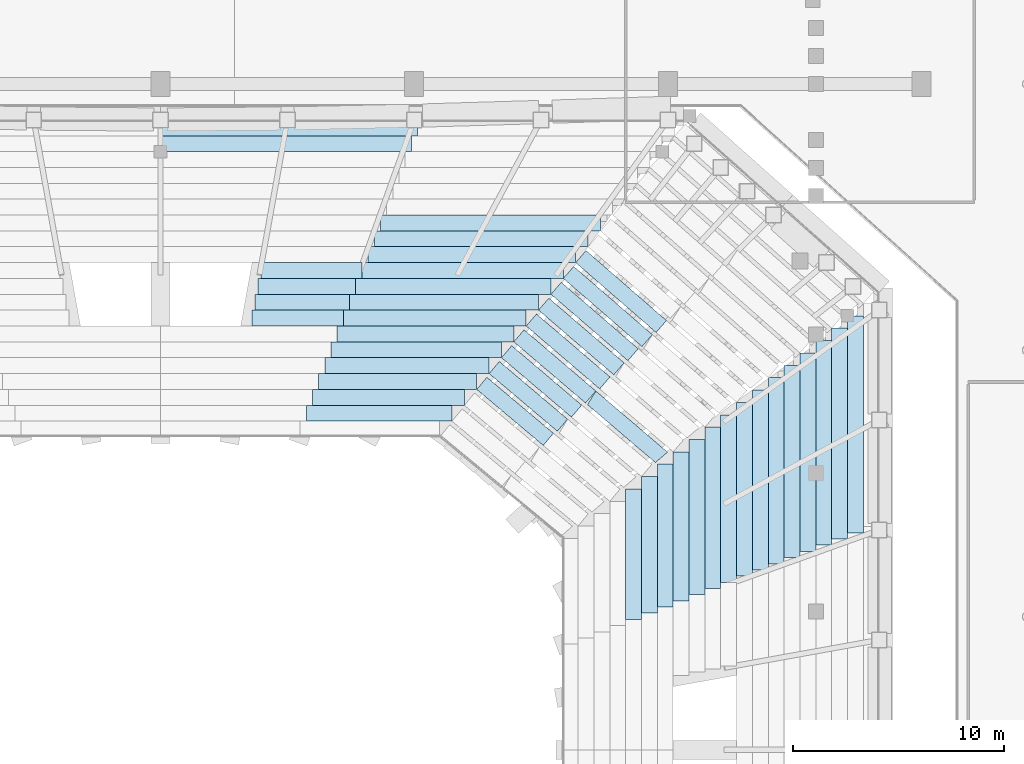
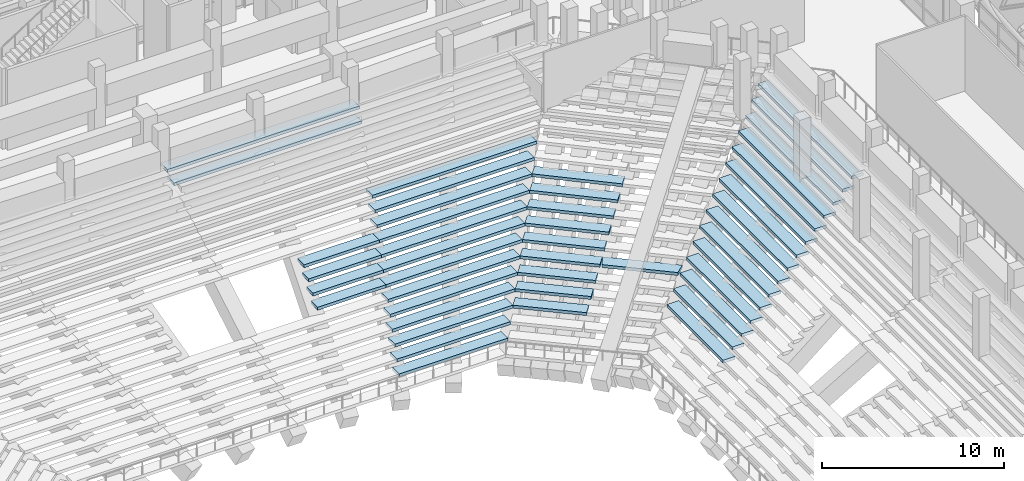
# One storey, part 105 of 159: 44 slabs.
"""IFC4 building model written with IfcOpenShell, lengths in metres."""

import ifcopenshell
import ifcopenshell.guid

model = None  # the IFC model being written
_history = None  # IfcOwnerHistory: only IFC2X3 demands one
_inside = {}  # id of a spatial element -> (the spatial element, [elements in it])
_under = {}  # id of a project, library or spatial element -> (it, [spatial elements below it])
_declared = {}  # id of a project -> (the project, [libraries it declares])
_typed = {}  # id of a type object -> (the type object, [elements of that type])
_made_of = {}  # id of a material, layer set ... -> (it, [elements and type objects made of it])


def new_model(schema):
    """Start an empty IFC model of exactly this schema.

    Asked for "IFC4X3", IfcOpenShell would pick the latest addendum, in which some entities
    have other attributes; the version numbers below select the first issue.
    IFC2X3 requires an IfcOwnerHistory on every rooted entity: one is made here for all.
    """
    global model, _history
    if schema == "IFC4X3":
        model = ifcopenshell.file(schema_version=(4, 3, 0, 0))
    else:
        model = ifcopenshell.file(schema=schema)
    _inside.clear()
    _under.clear()
    _declared.clear()
    _typed.clear()
    _made_of.clear()
    _history = None
    if model.schema == "IFC2X3":
        org = make("IfcOrganization", Name="unknown")
        user = make(
            "IfcPersonAndOrganization",
            ThePerson=make("IfcPerson", FamilyName="unknown"),
            TheOrganization=org,
        )
        app = make(
            "IfcApplication",
            ApplicationDeveloper=org,
            Version="unknown",
            ApplicationFullName="unknown",
            ApplicationIdentifier="unknown",
        )
        _history = make(
            "IfcOwnerHistory",
            OwningUser=user,
            OwningApplication=app,
            ChangeAction="ADDED",
            CreationDate=0,
        )
    return model


def make(cls, **values):
    """One entity of the class cls with the attributes given. An attribute that is None is left unset."""
    return model.create_entity(
        cls, **{name: value for name, value in values.items() if value is not None}
    )


def rooted(cls, **values):
    """An entity with a GlobalId (a new one), such as an element, a storey or a relation."""
    return make(cls, GlobalId=ifcopenshell.guid.new(), OwnerHistory=_history, **values)


def si_unit(unit_type, name, prefix=None):
    """IfcSIUnit, for example si_unit("LENGTHUNIT", "METRE", prefix="MILLI")."""
    return make("IfcSIUnit", UnitType=unit_type, Prefix=prefix, Name=name)


def derived_unit(unit_type, elements):
    """IfcDerivedUnit: a product of units, each with its exponent."""
    return make(
        "IfcDerivedUnit",
        Elements=[
            make("IfcDerivedUnitElement", Unit=unit, Exponent=power)
            for unit, power in elements
        ],
        UnitType=unit_type,
    )


def assignment(units):
    """IfcUnitAssignment: the units of a project."""
    return None if units is None else make("IfcUnitAssignment", Units=units)


def point(xyz):
    """IfcCartesianPoint."""
    return None if xyz is None else make("IfcCartesianPoint", Coordinates=xyz)


def direction(xyz):
    """IfcDirection."""
    return None if xyz is None else make("IfcDirection", DirectionRatios=xyz)


def frame(location, z_axis=None, x_axis=None):
    """IfcAxis2Placement3D, a coordinate frame: its origin and axes. An axis left out is left unset."""
    return make(
        "IfcAxis2Placement3D",
        Location=point(location),
        Axis=direction(z_axis),
        RefDirection=direction(x_axis),
    )


def origin():
    """The frame at (0, 0, 0) with its axes left unset."""
    return frame((0.0, 0.0, 0.0))


def place(relative_to, where):
    """IfcLocalPlacement: puts the frame where relative to a parent placement (None: the world)."""
    return make(
        "IfcLocalPlacement", PlacementRelTo=relative_to, RelativePlacement=where
    )


def context(
    kind, dimensions, precision=None, world=None, true_north=None, identifier=None
):
    """IfcGeometricRepresentationContext, for example the 3D "Model" context."""
    return make(
        "IfcGeometricRepresentationContext",
        ContextIdentifier=identifier,
        ContextType=kind,
        CoordinateSpaceDimension=dimensions,
        Precision=precision,
        WorldCoordinateSystem=world,
        TrueNorth=true_north,
    )


def subcontext(parent, identifier, kind, view, scale=None):
    """IfcGeometricRepresentationSubContext, for example "Body" below "Model"."""
    return make(
        "IfcGeometricRepresentationSubContext",
        ContextIdentifier=identifier,
        ContextType=kind,
        ParentContext=parent,
        TargetScale=scale,
        TargetView=view,
    )


def project(units=None, contexts=None):
    """IfcProject with its units and contexts."""
    return rooted(
        "IfcProject",
        Name="project",
        RepresentationContexts=contexts,
        UnitsInContext=assignment(units),
    )


def spatial(cls, under=None, at=None, **own):
    """A site, building, storey or space (cls), placed at a placement, below another one or the project."""
    s = rooted(cls, ObjectPlacement=at, **own)
    if under is not None:
        _under.setdefault(under.id(), (under, []))[1].append(s)
    return s


def polyline(points):
    """IfcPolyline through the points."""
    return make("IfcPolyline", Points=[point(p) for p in points])


def outline(outer, holes=None, kind="AREA"):
    """IfcArbitraryClosedProfileDef: a profile drawn as a closed curve; with holes, ...WithVoids."""
    if holes is None:
        return make("IfcArbitraryClosedProfileDef", ProfileType=kind, OuterCurve=outer)
    return make(
        "IfcArbitraryProfileDefWithVoids",
        ProfileType=kind,
        OuterCurve=outer,
        InnerCurves=holes,
    )


def extrude(swept, where, along, depth):
    """IfcExtrudedAreaSolid: the profile swept, set in the frame where, extruded along a direction by depth."""
    return make(
        "IfcExtrudedAreaSolid",
        SweptArea=swept,
        Position=where,
        ExtrudedDirection=direction(along),
        Depth=depth,
    )


def shape(context_of_items, identifier, shape_type, items):
    """IfcShapeRepresentation: the items that make up one representation, for example the "Body"."""
    return make(
        "IfcShapeRepresentation",
        ContextOfItems=context_of_items,
        RepresentationIdentifier=identifier,
        RepresentationType=shape_type,
        Items=items,
    )


def material(Name=None, Category=None):
    """IfcMaterial."""
    return make("IfcMaterial", Name=Name, Category=Category)


def layer(
    of_material, thickness, ventilated=None, Name=None, Category=None, Priority=None
):
    """IfcMaterialLayer: one layer of a wall or slab, of a material (None: an air gap)."""
    return make(
        "IfcMaterialLayer",
        Material=of_material,
        LayerThickness=thickness,
        IsVentilated=ventilated,
        Name=Name,
        Category=Category,
        Priority=Priority,
    )


def layer_set(layers, Name=None):
    """IfcMaterialLayerSet."""
    return make("IfcMaterialLayerSet", MaterialLayers=layers, LayerSetName=Name)


def made_of(thing, what):
    """Note that an element or type object is made of a material, layer set ...; save() writes the relation."""
    if what is not None:
        _made_of.setdefault(what.id(), (what, []))[1].append(thing)
    return thing


def type_object(cls, material=None, **own):
    """A type object (cls), such as IfcWallType, which elements share."""
    return made_of(rooted(cls, **own), material)


def element(
    cls,
    number,
    at=None,
    inside=None,
    cuts=None,
    type_object=None,
    material=None,
    context=None,
    identifier="Body",
    shape_type=None,
    held_by="IfcProductDefinitionShape",
    body=None,
    shapes=None,
    **own,
):
    """One element of the class cls, such as IfcWall. Its Tag is "e" and its number.

    at: its placement. inside: the storey or other place that contains it. cuts: it is an
    opening in that element (IfcRelVoidsElement). A single representation is given by context,
    identifier, shape_type and body (its items); several are given by shapes. held_by: the class
    of the entity that holds the representations. save() writes the other relations.
    """
    e = rooted(cls, Tag="e%d" % number, ObjectPlacement=at, **own)
    if body is not None:
        shapes = [shape(context, identifier, shape_type, body)]
    if shapes is not None:
        e.Representation = make(held_by, Representations=shapes)
    if inside is not None:
        _inside.setdefault(inside.id(), (inside, []))[1].append(e)
    if cuts is not None:
        rooted(
            "IfcRelVoidsElement", RelatingBuildingElement=cuts, RelatedOpeningElement=e
        )
    if type_object is not None:
        _typed.setdefault(type_object.id(), (type_object, []))[1].append(e)
    return made_of(e, material)


def aggregate(whole, parts):
    """IfcRelAggregates: a whole, such as a stair, and the parts it consists of."""
    return rooted("IfcRelAggregates", RelatingObject=whole, RelatedObjects=parts)


def save(model, path):
    """Write the relations noted so far, then the file.

    IfcRelAggregates (storeys below a building ...), IfcRelContainedInSpatialStructure (elements
    in a storey), IfcRelDefinesByType, IfcRelAssociatesMaterial and IfcRelDeclares: one each for
    every whole, place, type object, material and project.
    """
    for whole, parts in _under.values():
        aggregate(whole, parts)
    for where, things in _inside.values():
        rooted(
            "IfcRelContainedInSpatialStructure",
            RelatedElements=things,
            RelatingStructure=where,
        )
    for kind, things in _typed.values():
        rooted("IfcRelDefinesByType", RelatedObjects=things, RelatingType=kind)
    for what, things in _made_of.values():
        rooted("IfcRelAssociatesMaterial", RelatedObjects=things, RelatingMaterial=what)
    for by, libraries in _declared.values():
        rooted("IfcRelDeclares", RelatingContext=by, RelatedDefinitions=libraries)
    model.write(path)


model = new_model("IFC4")

# Units and contexts
model_context = context("Model", 3, precision=1e-05, world=origin(), true_north=direction((0.0, 1.0)))
body_context = subcontext(model_context, "Body", "Model", "MODEL_VIEW")
ifc_project = project(units=[si_unit("LENGTHUNIT", "METRE"), si_unit("AREAUNIT", "SQUARE_METRE"), si_unit("VOLUMEUNIT", "CUBIC_METRE"), si_unit("PLANEANGLEUNIT", "RADIAN"), si_unit("MASSUNIT", "GRAM", prefix="KILO"), derived_unit("THERMALTRANSMITTANCEUNIT", [(si_unit("MASSUNIT", "GRAM", prefix="KILO"), 1), (si_unit("TIMEUNIT", "SECOND"), -3), (si_unit("THERMODYNAMICTEMPERATUREUNIT", "KELVIN"), -1)])], contexts=[model_context])

# Site, building, storey
site_placement = place(None, origin())
site = spatial("IfcSite", under=ifc_project, at=site_placement, CompositionType="ELEMENT")
building_placement = place(site_placement, origin())
building = spatial("IfcBuilding", under=site, at=building_placement, Name="Valcora Ridge Arena", CompositionType="ELEMENT")
storey_placement = place(building_placement, frame((0.0, 0.0, 6.0)))
storey = spatial("IfcBuildingStorey", under=building, at=storey_placement, Name="L01", CompositionType="ELEMENT", Elevation=6.0)

# Slabs
ifc_material = material(Name="Precast concrete C45/55", Category="concrete")
ifc_layer_1 = layer(ifc_material, 0.199951171875, Name="Precast concrete C45/55")
ifc_layer_set_1 = layer_set([ifc_layer_1], Name="Precast concrete C45/55")
slab_type_1 = type_object("IfcSlabType", Name="TY-SLAB-ST-LOW-L041", PredefinedType="USERDEFINED", material=ifc_layer_set_1)
slab_1_placement = place(storey_placement, frame((0.0, 0.0, -4.280029296875)))
element("IfcSlab", 1, at=slab_1_placement, inside=storey, type_object=slab_type_1, Name="ST-LOW-L041 SLB-TR-0084", ObjectType="SEATING TIER", PredefinedType="USERDEFINED", context=body_context, shape_type="SweptSolid", body=[
    extrude(outline(polyline([(76.1025390625, 78.50244140625), (72.955078125, 81.14990234375), (73.437744140625, 81.72412109375), (76.585205078125, 79.076416015625), (76.1025390625, 78.50244140625)])), origin(), (0.0, 0.0, 1.0), 0.199951171875),
])
ifc_layer_2 = layer(ifc_material, 0.199951171875, Name="Precast concrete C45/55")
ifc_layer_set_2 = layer_set([ifc_layer_2], Name="Precast concrete C45/55")
slab_type_2 = type_object("IfcSlabType", Name="TY-SLAB-ST-LOW-L042", PredefinedType="USERDEFINED", material=ifc_layer_set_2)
slab_2_placement = place(storey_placement, frame((0.0, 0.0, -3.840087890625)))
element("IfcSlab", 2, at=slab_2_placement, inside=storey, type_object=slab_type_2, Name="ST-LOW-L042 SLB-TR-0108", ObjectType="SEATING TIER", PredefinedType="USERDEFINED", context=body_context, shape_type="SweptSolid", body=[
    extrude(outline(polyline([(76.77001953125, 79.169921875), (73.5400390625, 81.89990234375), (74.024169921875, 82.472900390625), (77.254150390625, 79.742919921875), (76.77001953125, 79.169921875)])), origin(), (0.0, 0.0, 1.0), 0.2001953125),
])
ifc_layer_3 = layer(ifc_material, 0.199951171875, Name="Precast concrete C45/55")
ifc_layer_set_3 = layer_set([ifc_layer_3], Name="Precast concrete C45/55")
slab_type_3 = type_object("IfcSlabType", Name="TY-SLAB-ST-LOW-L043", PredefinedType="USERDEFINED", material=ifc_layer_set_3)
slab_3_placement = place(storey_placement, frame((0.0, 0.0, -3.39990234375)))
element("IfcSlab", 3, at=slab_3_placement, inside=storey, type_object=slab_type_3, Name="ST-LOW-L043 SLB-TR-0132", ObjectType="SEATING TIER", PredefinedType="USERDEFINED", context=body_context, shape_type="SweptSolid", body=[
    extrude(outline(polyline([(77.4375, 79.83740234375), (74.125, 82.64990234375), (74.6103515625, 83.2216796875), (77.9228515625, 80.4091796875), (77.4375, 79.83740234375)])), origin(), (0.0, 0.0, 1.0), 0.199951171875),
])
slab_4_placement = place(storey_placement, frame((0.0, 0.0, -2.52001953125)))
element("IfcSlab", 4, at=slab_4_placement, inside=storey, type_object=slab_type_3, Name="ST-LOW-L043 SLB-TR-0182", ObjectType="SEATING TIER", PredefinedType="USERDEFINED", context=body_context, shape_type="SweptSolid", body=[
    extrude(outline(polyline([(66.6474609375, 84.14990234375), (62.32373046875, 84.14990234375), (62.32373046875, 84.89990234375), (66.6474609375, 84.89990234375), (66.6474609375, 84.14990234375)])), origin(), (0.0, 0.0, 1.0), 0.199951171875),
])
ifc_layer_4 = layer(ifc_material, 0.199951171875, Name="Precast concrete C45/55")
ifc_layer_set_4 = layer_set([ifc_layer_4], Name="Precast concrete C45/55")
slab_type_4 = type_object("IfcSlabType", Name="TY-SLAB-ST-LOW-L045", PredefinedType="USERDEFINED", material=ifc_layer_set_4)
slab_5_placement = place(storey_placement, frame((0.0, 0.0, -2.9599609375)))
element("IfcSlab", 5, at=slab_5_placement, inside=storey, type_object=slab_type_4, Name="ST-LOW-L045 SLB-TR-0156", ObjectType="SEATING TIER", PredefinedType="USERDEFINED", context=body_context, shape_type="SweptSolid", body=[
    extrude(outline(polyline([(78.10498046875, 80.5048828125), (74.7099609375, 83.39990234375), (75.196533203125, 83.970703125), (78.591552734375, 81.07568359375), (78.10498046875, 80.5048828125)])), origin(), (0.0, 0.0, 1.0), 0.199951171875),
])
slab_6_placement = place(storey_placement, frame((0.0, 0.0, -2.080078125)))
element("IfcSlab", 6, at=slab_6_placement, inside=storey, type_object=slab_type_4, Name="ST-LOW-L045 SLB-TR-0206", ObjectType="SEATING TIER", PredefinedType="USERDEFINED", context=body_context, shape_type="SweptSolid", body=[
    extrude(outline(polyline([(66.93994140625, 84.89990234375), (62.469970703125, 84.89990234375), (62.469970703125, 85.64990234375), (66.93994140625, 85.64990234375), (66.93994140625, 84.89990234375)])), origin(), (0.0, 0.0, 1.0), 0.2001953125),
])
ifc_layer_5 = layer(ifc_material, 0.199951171875, Name="Precast concrete C45/55")
ifc_layer_set_5 = layer_set([ifc_layer_5], Name="Precast concrete C45/55")
slab_type_5 = type_object("IfcSlabType", Name="TY-SLAB-ST-LOW-L046", PredefinedType="USERDEFINED", material=ifc_layer_set_5)
slab_7_placement = place(storey_placement, frame((0.0, 0.0, -2.52001953125)))
element("IfcSlab", 7, at=slab_7_placement, inside=storey, type_object=slab_type_5, Name="ST-LOW-L046 SLB-TR-0180", ObjectType="SEATING TIER", PredefinedType="USERDEFINED", context=body_context, shape_type="SweptSolid", body=[
    extrude(outline(polyline([(78.7724609375, 81.172607421875), (75.294921875, 84.14990234375), (75.78271484375, 84.7197265625), (79.26025390625, 81.7421875), (78.7724609375, 81.172607421875)])), origin(), (0.0, 0.0, 1.0), 0.199951171875),
])
slab_8_placement = place(storey_placement, frame((0.0, 0.0, -1.639892578125)))
element("IfcSlab", 8, at=slab_8_placement, inside=storey, type_object=slab_type_5, Name="ST-LOW-L046 SLB-TR-0230", ObjectType="SEATING TIER", PredefinedType="USERDEFINED", context=body_context, shape_type="SweptSolid", body=[
    extrude(outline(polyline([(67.232421875, 85.64990234375), (62.6162109375, 85.64990234375), (62.6162109375, 86.39990234375), (67.232421875, 86.39990234375), (67.232421875, 85.64990234375)])), origin(), (0.0, 0.0, 1.0), 0.199951171875),
])
ifc_layer_6 = layer(ifc_material, 0.199951171875, Name="Precast concrete C45/55")
ifc_layer_set_6 = layer_set([ifc_layer_6], Name="Precast concrete C45/55")
slab_type_6 = type_object("IfcSlabType", Name="TY-SLAB-ST-LOW-L047", PredefinedType="USERDEFINED", material=ifc_layer_set_6)
slab_9_placement = place(storey_placement, frame((0.0, 0.0, -2.080078125)))
element("IfcSlab", 9, at=slab_9_placement, inside=storey, type_object=slab_type_6, Name="ST-LOW-L047 SLB-TR-0204", ObjectType="SEATING TIER", PredefinedType="USERDEFINED", context=body_context, shape_type="SweptSolid", body=[
    extrude(outline(polyline([(79.43994140625, 81.840087890625), (75.8798828125, 84.89990234375), (76.368896484375, 85.46875), (79.928955078125, 82.40869140625), (79.43994140625, 81.840087890625)])), origin(), (0.0, 0.0, 1.0), 0.2001953125),
])
ifc_layer_7 = layer(ifc_material, 0.199951171875, Name="Precast concrete C45/55")
ifc_layer_set_7 = layer_set([ifc_layer_7], Name="Precast concrete C45/55")
slab_type_7 = type_object("IfcSlabType", Name="TY-SLAB-ST-LOW-L048", PredefinedType="USERDEFINED", material=ifc_layer_set_7)
slab_10_placement = place(storey_placement, frame((0.0, 0.0, -1.639892578125)))
element("IfcSlab", 10, at=slab_10_placement, inside=storey, type_object=slab_type_7, Name="ST-LOW-L048 SLB-TR-0228", ObjectType="SEATING TIER", PredefinedType="USERDEFINED", context=body_context, shape_type="SweptSolid", body=[
    extrude(outline(polyline([(80.107421875, 82.507568359375), (76.465087890625, 85.64990234375), (76.954833984375, 86.218017578125), (80.597412109375, 83.075439453125), (80.107421875, 82.507568359375)])), origin(), (0.0, 0.0, 1.0), 0.199951171875),
])
slab_11_placement = place(storey_placement, frame((0.0, 0.0, -1.199951171875)))
element("IfcSlab", 11, at=slab_11_placement, inside=storey, type_object=slab_type_7, Name="ST-LOW-L048 SLB-TR-0254", ObjectType="SEATING TIER", PredefinedType="USERDEFINED", context=body_context, shape_type="SweptSolid", body=[
    extrude(outline(polyline([(67.52490234375, 86.39990234375), (62.762451171875, 86.39990234375), (62.762451171875, 87.14990234375), (67.52490234375, 87.14990234375), (67.52490234375, 86.39990234375)])), origin(), (0.0, 0.0, 1.0), 0.199951171875),
])
ifc_layer_8 = layer(ifc_material, 0.199951171875, Name="Precast concrete C45/55")
ifc_layer_set_8 = layer_set([ifc_layer_8], Name="Precast concrete C45/55")
slab_type_8 = type_object("IfcSlabType", Name="TY-SLAB-ST-LOW-L049", PredefinedType="USERDEFINED", material=ifc_layer_set_8)
slab_12_placement = place(storey_placement, frame((0.0, 0.0, -1.199951171875)))
element("IfcSlab", 12, at=slab_12_placement, inside=storey, type_object=slab_type_8, Name="ST-LOW-L049 SLB-TR-0252", ObjectType="SEATING TIER", PredefinedType="USERDEFINED", context=body_context, shape_type="SweptSolid", body=[
    extrude(outline(polyline([(80.77490234375, 83.175048828125), (77.050048828125, 86.39990234375), (77.541015625, 86.967041015625), (81.265869140625, 83.741943359375), (80.77490234375, 83.175048828125)])), origin(), (0.0, 0.0, 1.0), 0.199951171875),
])
ifc_layer_9 = layer(ifc_material, 0.199951171875, Name="Precast concrete C45/55")
ifc_layer_set_9 = layer_set([ifc_layer_9], Name="Precast concrete C45/55")
slab_type_9 = type_object("IfcSlabType", Name="TY-SLAB-ST-LOW-L050", PredefinedType="USERDEFINED", material=ifc_layer_set_9)
slab_13_placement = place(storey_placement, frame((0.0, 0.0, -0.760009765625)))
element("IfcSlab", 13, at=slab_13_placement, inside=storey, type_object=slab_type_9, Name="ST-LOW-L050 SLB-TR-0276", ObjectType="SEATING TIER", PredefinedType="USERDEFINED", context=body_context, shape_type="SweptSolid", body=[
    extrude(outline(polyline([(81.4423828125, 83.842529296875), (77.635009765625, 87.14990234375), (78.126708984375, 87.71630859375), (81.934326171875, 84.40869140625), (81.4423828125, 83.842529296875)])), origin(), (0.0, 0.0, 1.0), 0.199951171875),
])
ifc_layer_10 = layer(ifc_material, 0.199951171875, Name="Precast concrete C45/55")
ifc_layer_set_10 = layer_set([ifc_layer_10], Name="Precast concrete C45/55")
slab_type_10 = type_object("IfcSlabType", Name="TY-SLAB-ST-LOW-L062", PredefinedType="USERDEFINED", material=ifc_layer_set_10)
slab_14_placement = place(storey_placement, frame((0.0, 0.0, -3.840087890625)))
element("IfcSlab", 14, at=slab_14_placement, inside=storey, type_object=slab_type_10, Name="ST-LOW-L062 SLB-TR-0106", ObjectType="SEATING TIER", PredefinedType="USERDEFINED", context=body_context, shape_type="SweptSolid", body=[
    extrude(outline(polyline([(80.0, 70.27001953125), (80.0, 76.43994140625), (80.75, 76.43994140625), (80.75, 70.27001953125), (80.0, 70.27001953125)])), origin(), (0.0, 0.0, 1.0), 0.2001953125),
])
ifc_layer_11 = layer(ifc_material, 0.199951171875, Name="Precast concrete C45/55")
ifc_layer_set_11 = layer_set([ifc_layer_11], Name="Precast concrete C45/55")
slab_type_11 = type_object("IfcSlabType", Name="TY-SLAB-ST-LOW-L065", PredefinedType="USERDEFINED", material=ifc_layer_set_11)
slab_15_placement = place(storey_placement, frame((0.0, 0.0, -3.39990234375)))
element("IfcSlab", 15, at=slab_15_placement, inside=storey, type_object=slab_type_11, Name="ST-LOW-L065 SLB-TR-0130", ObjectType="SEATING TIER", PredefinedType="USERDEFINED", context=body_context, shape_type="SweptSolid", body=[
    extrude(outline(polyline([(80.75, 70.5625), (80.75, 77.02490234375), (81.5, 77.02490234375), (81.5, 70.5625), (80.75, 70.5625)])), origin(), (0.0, 0.0, 1.0), 0.199951171875),
])
ifc_layer_12 = layer(ifc_material, 0.199951171875, Name="Precast concrete C45/55")
ifc_layer_set_12 = layer_set([ifc_layer_12], Name="Precast concrete C45/55")
slab_type_12 = type_object("IfcSlabType", Name="TY-SLAB-ST-LOW-L068", PredefinedType="USERDEFINED", material=ifc_layer_set_12)
slab_16_placement = place(storey_placement, frame((0.0, 0.0, -2.9599609375)))
element("IfcSlab", 16, at=slab_16_placement, inside=storey, type_object=slab_type_12, Name="ST-LOW-L068 SLB-TR-0154", ObjectType="SEATING TIER", PredefinedType="USERDEFINED", context=body_context, shape_type="SweptSolid", body=[
    extrude(outline(polyline([(81.5, 70.85498046875), (81.5, 77.610107421875), (82.25, 77.610107421875), (82.25, 70.85498046875), (81.5, 70.85498046875)])), origin(), (0.0, 0.0, 1.0), 0.199951171875),
])
ifc_layer_13 = layer(ifc_material, 0.199951171875, Name="Precast concrete C45/55")
ifc_layer_set_13 = layer_set([ifc_layer_13], Name="Precast concrete C45/55")
slab_type_13 = type_object("IfcSlabType", Name="TY-SLAB-ST-LOW-L069", PredefinedType="USERDEFINED", material=ifc_layer_set_13)
slab_17_placement = place(storey_placement, frame((0.0, 0.0, -5.159912109375)))
element("IfcSlab", 17, at=slab_17_placement, inside=storey, type_object=slab_type_13, Name="ST-LOW-L069 SLB-TR-0037", ObjectType="SEATING TIER", PredefinedType="USERDEFINED", context=body_context, shape_type="SweptSolid", body=[
    extrude(outline(polyline([(71.784912109375, 79.64990234375), (64.892578125, 79.64990234375), (64.892578125, 80.39990234375), (71.784912109375, 80.39990234375), (71.784912109375, 79.64990234375)])), origin(), (0.0, 0.0, 1.0), 0.199951171875),
])
ifc_layer_14 = layer(ifc_material, 0.199951171875, Name="Precast concrete C45/55")
ifc_layer_set_14 = layer_set([ifc_layer_14], Name="Precast concrete C45/55")
slab_type_14 = type_object("IfcSlabType", Name="TY-SLAB-ST-LOW-L070", PredefinedType="USERDEFINED", material=ifc_layer_set_14)
slab_18_placement = place(storey_placement, frame((0.0, 0.0, -2.52001953125)))
element("IfcSlab", 18, at=slab_18_placement, inside=storey, type_object=slab_type_14, Name="ST-LOW-L070 SLB-TR-0178", ObjectType="SEATING TIER", PredefinedType="USERDEFINED", context=body_context, shape_type="SweptSolid", body=[
    extrude(outline(polyline([(82.25, 71.1474609375), (82.25, 78.195068359375), (83.0, 78.195068359375), (83.0, 71.1474609375), (82.25, 71.1474609375)])), origin(), (0.0, 0.0, 1.0), 0.199951171875),
])
ifc_layer_15 = layer(ifc_material, 0.199951171875, Name="Precast concrete C45/55")
ifc_layer_set_15 = layer_set([ifc_layer_15], Name="Precast concrete C45/55")
slab_type_15 = type_object("IfcSlabType", Name="TY-SLAB-ST-LOW-L072", PredefinedType="USERDEFINED", material=ifc_layer_set_15)
slab_19_placement = place(storey_placement, frame((0.0, 0.0, -4.719970703125)))
element("IfcSlab", 19, at=slab_19_placement, inside=storey, type_object=slab_type_15, Name="ST-LOW-L072 SLB-TR-0061", ObjectType="SEATING TIER", PredefinedType="USERDEFINED", context=body_context, shape_type="SweptSolid", body=[
    extrude(outline(polyline([(72.3701171875, 80.39990234375), (65.18505859375, 80.39990234375), (65.18505859375, 81.14990234375), (72.3701171875, 81.14990234375), (72.3701171875, 80.39990234375)])), origin(), (0.0, 0.0, 1.0), 0.199951171875),
])
ifc_layer_16 = layer(ifc_material, 0.199951171875, Name="Precast concrete C45/55")
ifc_layer_set_16 = layer_set([ifc_layer_16], Name="Precast concrete C45/55")
slab_type_16 = type_object("IfcSlabType", Name="TY-SLAB-ST-LOW-L073", PredefinedType="USERDEFINED", material=ifc_layer_set_16)
slab_20_placement = place(storey_placement, frame((0.0, 0.0, -2.080078125)))
element("IfcSlab", 20, at=slab_20_placement, inside=storey, type_object=slab_type_16, Name="ST-LOW-L073 SLB-TR-0202", ObjectType="SEATING TIER", PredefinedType="USERDEFINED", context=body_context, shape_type="SweptSolid", body=[
    extrude(outline(polyline([(83.0, 71.43994140625), (83.0, 78.780029296875), (83.75, 78.780029296875), (83.75, 71.43994140625), (83.0, 71.43994140625)])), origin(), (0.0, 0.0, 1.0), 0.2001953125),
])
ifc_layer_17 = layer(ifc_material, 0.199951171875, Name="Precast concrete C45/55")
ifc_layer_set_17 = layer_set([ifc_layer_17], Name="Precast concrete C45/55")
slab_type_17 = type_object("IfcSlabType", Name="TY-SLAB-ST-LOW-L075", PredefinedType="USERDEFINED", material=ifc_layer_set_17)
slab_21_placement = place(storey_placement, frame((0.0, 0.0, -4.280029296875)))
element("IfcSlab", 21, at=slab_21_placement, inside=storey, type_object=slab_type_17, Name="ST-LOW-L075 SLB-TR-0085", ObjectType="SEATING TIER", PredefinedType="USERDEFINED", context=body_context, shape_type="SweptSolid", body=[
    extrude(outline(polyline([(72.955078125, 81.14990234375), (65.4775390625, 81.14990234375), (65.4775390625, 81.89990234375), (72.955078125, 81.89990234375), (72.955078125, 81.14990234375)])), origin(), (0.0, 0.0, 1.0), 0.199951171875),
])
ifc_layer_18 = layer(ifc_material, 0.199951171875, Name="Precast concrete C45/55")
ifc_layer_set_18 = layer_set([ifc_layer_18], Name="Precast concrete C45/55")
slab_type_18 = type_object("IfcSlabType", Name="TY-SLAB-ST-LOW-L076", PredefinedType="USERDEFINED", material=ifc_layer_set_18)
slab_22_placement = place(storey_placement, frame((0.0, 0.0, -1.639892578125)))
element("IfcSlab", 22, at=slab_22_placement, inside=storey, type_object=slab_type_18, Name="ST-LOW-L076 SLB-TR-0226", ObjectType="SEATING TIER", PredefinedType="USERDEFINED", context=body_context, shape_type="SweptSolid", body=[
    extrude(outline(polyline([(83.75, 71.732421875), (83.75, 79.364990234375), (84.5, 79.364990234375), (84.5, 71.732421875), (83.75, 71.732421875)])), origin(), (0.0, 0.0, 1.0), 0.199951171875),
])
ifc_layer_19 = layer(ifc_material, 0.199951171875, Name="Precast concrete C45/55")
ifc_layer_set_19 = layer_set([ifc_layer_19], Name="Precast concrete C45/55")
slab_type_19 = type_object("IfcSlabType", Name="TY-SLAB-ST-LOW-L078", PredefinedType="USERDEFINED", material=ifc_layer_set_19)
slab_23_placement = place(storey_placement, frame((0.0, 0.0, -3.840087890625)))
element("IfcSlab", 23, at=slab_23_placement, inside=storey, type_object=slab_type_19, Name="ST-LOW-L078 SLB-TR-0109", ObjectType="SEATING TIER", PredefinedType="USERDEFINED", context=body_context, shape_type="SweptSolid", body=[
    extrude(outline(polyline([(73.5400390625, 81.89990234375), (65.77001953125, 81.89990234375), (65.77001953125, 82.64990234375), (73.5400390625, 82.64990234375), (73.5400390625, 81.89990234375)])), origin(), (0.0, 0.0, 1.0), 0.2001953125),
])
ifc_layer_20 = layer(ifc_material, 0.199951171875, Name="Precast concrete C45/55")
ifc_layer_set_20 = layer_set([ifc_layer_20], Name="Precast concrete C45/55")
slab_type_20 = type_object("IfcSlabType", Name="TY-SLAB-ST-LOW-L079", PredefinedType="USERDEFINED", material=ifc_layer_set_20)
slab_24_placement = place(storey_placement, frame((0.0, 0.0, -1.199951171875)))
element("IfcSlab", 24, at=slab_24_placement, inside=storey, type_object=slab_type_20, Name="ST-LOW-L079 SLB-TR-0250", ObjectType="SEATING TIER", PredefinedType="USERDEFINED", context=body_context, shape_type="SweptSolid", body=[
    extrude(outline(polyline([(84.5, 72.02490234375), (84.5, 79.949951171875), (85.25, 79.949951171875), (85.25, 72.02490234375), (84.5, 72.02490234375)])), origin(), (0.0, 0.0, 1.0), 0.199951171875),
])
ifc_layer_21 = layer(ifc_material, 0.199951171875, Name="Precast concrete C45/55")
ifc_layer_set_21 = layer_set([ifc_layer_21], Name="Precast concrete C45/55")
slab_type_21 = type_object("IfcSlabType", Name="TY-SLAB-ST-LOW-L081", PredefinedType="USERDEFINED", material=ifc_layer_set_21)
slab_25_placement = place(storey_placement, frame((0.0, 0.0, -3.39990234375)))
element("IfcSlab", 25, at=slab_25_placement, inside=storey, type_object=slab_type_21, Name="ST-LOW-L081 SLB-TR-0133", ObjectType="SEATING TIER", PredefinedType="USERDEFINED", context=body_context, shape_type="SweptSolid", body=[
    extrude(outline(polyline([(74.125, 82.64990234375), (66.0625, 82.64990234375), (66.0625, 83.39990234375), (74.125, 83.39990234375), (74.125, 82.64990234375)])), origin(), (0.0, 0.0, 1.0), 0.199951171875),
])
ifc_layer_22 = layer(ifc_material, 0.199951171875, Name="Precast concrete C45/55")
ifc_layer_set_22 = layer_set([ifc_layer_22], Name="Precast concrete C45/55")
slab_type_22 = type_object("IfcSlabType", Name="TY-SLAB-ST-LOW-L082", PredefinedType="USERDEFINED", material=ifc_layer_set_22)
slab_26_placement = place(storey_placement, frame((0.0, 0.0, -0.760009765625)))
element("IfcSlab", 26, at=slab_26_placement, inside=storey, type_object=slab_type_22, Name="ST-LOW-L082 SLB-TR-0274", ObjectType="SEATING TIER", PredefinedType="USERDEFINED", context=body_context, shape_type="SweptSolid", body=[
    extrude(outline(polyline([(85.25, 72.3173828125), (85.25, 80.534912109375), (86.0, 80.534912109375), (86.0, 72.3173828125), (85.25, 72.3173828125)])), origin(), (0.0, 0.0, 1.0), 0.199951171875),
])
ifc_layer_23 = layer(ifc_material, 0.199951171875, Name="Precast concrete C45/55")
ifc_layer_set_23 = layer_set([ifc_layer_23], Name="Precast concrete C45/55")
slab_type_23 = type_object("IfcSlabType", Name="TY-SLAB-ST-LOW-L084", PredefinedType="USERDEFINED", material=ifc_layer_set_23)
slab_27_placement = place(storey_placement, frame((0.0, 0.0, -2.9599609375)))
element("IfcSlab", 27, at=slab_27_placement, inside=storey, type_object=slab_type_23, Name="ST-LOW-L084 SLB-TR-0157", ObjectType="SEATING TIER", PredefinedType="USERDEFINED", context=body_context, shape_type="SweptSolid", body=[
    extrude(outline(polyline([(74.7099609375, 83.39990234375), (66.35498046875, 83.39990234375), (66.35498046875, 84.14990234375), (74.7099609375, 84.14990234375), (74.7099609375, 83.39990234375)])), origin(), (0.0, 0.0, 1.0), 0.199951171875),
])
ifc_layer_24 = layer(ifc_material, 0.199951171875, Name="Precast concrete C45/55")
ifc_layer_set_24 = layer_set([ifc_layer_24], Name="Precast concrete C45/55")
slab_type_24 = type_object("IfcSlabType", Name="TY-SLAB-ST-LOW-L085", PredefinedType="USERDEFINED", material=ifc_layer_set_24)
slab_28_placement = place(storey_placement, frame((0.0, 0.0, -0.320068359375)))
element("IfcSlab", 28, at=slab_28_placement, inside=storey, type_object=slab_type_24, Name="ST-LOW-L085 SLB-TR-0298", ObjectType="SEATING TIER", PredefinedType="USERDEFINED", context=body_context, shape_type="SweptSolid", body=[
    extrude(outline(polyline([(86.0, 72.610107421875), (86.0, 81.1201171875), (86.75, 81.1201171875), (86.75, 72.610107421875), (86.0, 72.610107421875)])), origin(), (0.0, 0.0, 1.0), 0.199951171875),
])
ifc_layer_25 = layer(ifc_material, 0.199951171875, Name="Precast concrete C45/55")
ifc_layer_set_25 = layer_set([ifc_layer_25], Name="Precast concrete C45/55")
slab_type_25 = type_object("IfcSlabType", Name="TY-SLAB-ST-LOW-L086", PredefinedType="USERDEFINED", material=ifc_layer_set_25)
slab_29_placement = place(storey_placement, frame((0.0, 0.0, -2.52001953125)))
element("IfcSlab", 29, at=slab_29_placement, inside=storey, type_object=slab_type_25, Name="ST-LOW-L086 SLB-TR-0181", ObjectType="SEATING TIER", PredefinedType="USERDEFINED", context=body_context, shape_type="SweptSolid", body=[
    extrude(outline(polyline([(75.294921875, 84.14990234375), (66.6474609375, 84.14990234375), (66.6474609375, 84.89990234375), (75.294921875, 84.89990234375), (75.294921875, 84.14990234375)])), origin(), (0.0, 0.0, 1.0), 0.199951171875),
])
ifc_layer_26 = layer(ifc_material, 0.199951171875, Name="Precast concrete C45/55")
ifc_layer_set_26 = layer_set([ifc_layer_26], Name="Precast concrete C45/55")
slab_type_26 = type_object("IfcSlabType", Name="TY-SLAB-ST-LOW-L088", PredefinedType="USERDEFINED", material=ifc_layer_set_26)
slab_30_placement = place(storey_placement, frame((0.0, 0.0, 0.1201171875)))
element("IfcSlab", 30, at=slab_30_placement, inside=storey, type_object=slab_type_26, Name="ST-LOW-L088 SLB-TR-0322", ObjectType="SEATING TIER", PredefinedType="USERDEFINED", context=body_context, shape_type="SweptSolid", body=[
    extrude(outline(polyline([(86.75, 72.902587890625), (86.75, 81.705078125), (87.5, 81.705078125), (87.5, 72.902587890625), (86.75, 72.902587890625)])), origin(), (0.0, 0.0, 1.0), 0.199951171875),
])
ifc_layer_27 = layer(ifc_material, 0.199951171875, Name="Precast concrete C45/55")
ifc_layer_set_27 = layer_set([ifc_layer_27], Name="Precast concrete C45/55")
slab_type_27 = type_object("IfcSlabType", Name="TY-SLAB-ST-LOW-L089", PredefinedType="USERDEFINED", material=ifc_layer_set_27)
slab_31_placement = place(storey_placement, frame((0.0, 0.0, -2.080078125)))
element("IfcSlab", 31, at=slab_31_placement, inside=storey, type_object=slab_type_27, Name="ST-LOW-L089 SLB-TR-0205", ObjectType="SEATING TIER", PredefinedType="USERDEFINED", context=body_context, shape_type="SweptSolid", body=[
    extrude(outline(polyline([(75.8798828125, 84.89990234375), (66.93994140625, 84.89990234375), (66.93994140625, 85.64990234375), (75.8798828125, 85.64990234375), (75.8798828125, 84.89990234375)])), origin(), (0.0, 0.0, 1.0), 0.2001953125),
])
ifc_layer_28 = layer(ifc_material, 0.199951171875, Name="Precast concrete C45/55")
ifc_layer_set_28 = layer_set([ifc_layer_28], Name="Precast concrete C45/55")
slab_type_28 = type_object("IfcSlabType", Name="TY-SLAB-ST-LOW-L091", PredefinedType="USERDEFINED", material=ifc_layer_set_28)
slab_32_placement = place(storey_placement, frame((0.0, 0.0, 0.56005859375)))
element("IfcSlab", 32, at=slab_32_placement, inside=storey, type_object=slab_type_28, Name="ST-LOW-L091 SLB-TR-0346", ObjectType="SEATING TIER", PredefinedType="USERDEFINED", context=body_context, shape_type="SweptSolid", body=[
    extrude(outline(polyline([(87.5, 73.195068359375), (87.5, 82.2900390625), (88.25, 82.2900390625), (88.25, 73.195068359375), (87.5, 73.195068359375)])), origin(), (0.0, 0.0, 1.0), 0.199951171875),
])
ifc_layer_29 = layer(ifc_material, 0.199951171875, Name="Precast concrete C45/55")
ifc_layer_set_29 = layer_set([ifc_layer_29], Name="Precast concrete C45/55")
slab_type_29 = type_object("IfcSlabType", Name="TY-SLAB-ST-LOW-L092", PredefinedType="USERDEFINED", material=ifc_layer_set_29)
slab_33_placement = place(storey_placement, frame((0.0, 0.0, -1.639892578125)))
element("IfcSlab", 33, at=slab_33_placement, inside=storey, type_object=slab_type_29, Name="ST-LOW-L092 SLB-TR-0229", ObjectType="SEATING TIER", PredefinedType="USERDEFINED", context=body_context, shape_type="SweptSolid", body=[
    extrude(outline(polyline([(76.465087890625, 85.64990234375), (67.232421875, 85.64990234375), (67.232421875, 86.39990234375), (76.465087890625, 86.39990234375), (76.465087890625, 85.64990234375)])), origin(), (0.0, 0.0, 1.0), 0.199951171875),
])
ifc_layer_30 = layer(ifc_material, 0.199951171875, Name="Precast concrete C45/55")
ifc_layer_set_30 = layer_set([ifc_layer_30], Name="Precast concrete C45/55")
slab_type_30 = type_object("IfcSlabType", Name="TY-SLAB-ST-LOW-L094", PredefinedType="USERDEFINED", material=ifc_layer_set_30)
slab_34_placement = place(storey_placement, frame((0.0, 0.0, 1.0)))
element("IfcSlab", 34, at=slab_34_placement, inside=storey, type_object=slab_type_30, Name="ST-LOW-L094 SLB-TR-0370", ObjectType="SEATING TIER", PredefinedType="USERDEFINED", context=body_context, shape_type="SweptSolid", body=[
    extrude(outline(polyline([(88.25, 73.487548828125), (88.25, 82.875), (89.0, 82.875), (89.0, 73.487548828125), (88.25, 73.487548828125)])), origin(), (0.0, 0.0, 1.0), 0.199951171875),
])
ifc_layer_31 = layer(ifc_material, 0.199951171875, Name="Precast concrete C45/55")
ifc_layer_set_31 = layer_set([ifc_layer_31], Name="Precast concrete C45/55")
slab_type_31 = type_object("IfcSlabType", Name="TY-SLAB-ST-LOW-L095", PredefinedType="USERDEFINED", material=ifc_layer_set_31)
slab_35_placement = place(storey_placement, frame((0.0, 0.0, -1.199951171875)))
element("IfcSlab", 35, at=slab_35_placement, inside=storey, type_object=slab_type_31, Name="ST-LOW-L095 SLB-TR-0253", ObjectType="SEATING TIER", PredefinedType="USERDEFINED", context=body_context, shape_type="SweptSolid", body=[
    extrude(outline(polyline([(77.050048828125, 86.39990234375), (67.52490234375, 86.39990234375), (67.52490234375, 87.14990234375), (77.050048828125, 87.14990234375), (77.050048828125, 86.39990234375)])), origin(), (0.0, 0.0, 1.0), 0.199951171875),
])
ifc_layer_32 = layer(ifc_material, 0.199951171875, Name="Precast concrete C45/55")
ifc_layer_set_32 = layer_set([ifc_layer_32], Name="Precast concrete C45/55")
slab_type_32 = type_object("IfcSlabType", Name="TY-SLAB-ST-LOW-L097", PredefinedType="USERDEFINED", material=ifc_layer_set_32)
slab_36_placement = place(storey_placement, frame((0.0, 0.0, 1.43994140625)))
element("IfcSlab", 36, at=slab_36_placement, inside=storey, type_object=slab_type_32, Name="ST-LOW-L097 SLB-TR-0394", ObjectType="SEATING TIER", PredefinedType="USERDEFINED", context=body_context, shape_type="SweptSolid", body=[
    extrude(outline(polyline([(89.0, 73.780029296875), (89.0, 83.4599609375), (89.75, 83.4599609375), (89.75, 73.780029296875), (89.0, 73.780029296875)])), origin(), (0.0, 0.0, 1.0), 0.199951171875),
])
ifc_layer_33 = layer(ifc_material, 0.199951171875, Name="Precast concrete C45/55")
ifc_layer_set_33 = layer_set([ifc_layer_33], Name="Precast concrete C45/55")
slab_type_33 = type_object("IfcSlabType", Name="TY-SLAB-ST-LOW-L098", PredefinedType="USERDEFINED", material=ifc_layer_set_33)
slab_37_placement = place(storey_placement, frame((0.0, 0.0, -0.760009765625)))
element("IfcSlab", 37, at=slab_37_placement, inside=storey, type_object=slab_type_33, Name="ST-LOW-L098 SLB-TR-0277", ObjectType="SEATING TIER", PredefinedType="USERDEFINED", context=body_context, shape_type="SweptSolid", body=[
    extrude(outline(polyline([(77.635009765625, 87.14990234375), (67.8173828125, 87.14990234375), (67.8173828125, 87.89990234375), (77.635009765625, 87.89990234375), (77.635009765625, 87.14990234375)])), origin(), (0.0, 0.0, 1.0), 0.199951171875),
])
ifc_layer_34 = layer(ifc_material, 0.199951171875, Name="Precast concrete C45/55")
ifc_layer_set_34 = layer_set([ifc_layer_34], Name="Precast concrete C45/55")
slab_type_34 = type_object("IfcSlabType", Name="TY-SLAB-ST-LOW-L100", PredefinedType="USERDEFINED", material=ifc_layer_set_34)
slab_38_placement = place(storey_placement, frame((0.0, 0.0, 1.8798828125)))
element("IfcSlab", 38, at=slab_38_placement, inside=storey, type_object=slab_type_34, Name="ST-LOW-L100 SLB-TR-0418", ObjectType="SEATING TIER", PredefinedType="USERDEFINED", context=body_context, shape_type="SweptSolid", body=[
    extrude(outline(polyline([(89.75, 74.072509765625), (89.75, 84.044921875), (90.5, 84.044921875), (90.5, 74.072509765625), (89.75, 74.072509765625)])), origin(), (0.0, 0.0, 1.0), 0.2001953125),
])
ifc_layer_35 = layer(ifc_material, 0.199951171875, Name="Precast concrete C45/55")
ifc_layer_set_35 = layer_set([ifc_layer_35], Name="Precast concrete C45/55")
slab_type_35 = type_object("IfcSlabType", Name="TY-SLAB-ST-LOW-L101", PredefinedType="USERDEFINED", material=ifc_layer_set_35)
slab_39_placement = place(storey_placement, frame((0.0, 0.0, -0.320068359375)))
element("IfcSlab", 39, at=slab_39_placement, inside=storey, type_object=slab_type_35, Name="ST-LOW-L101 SLB-TR-0301", ObjectType="SEATING TIER", PredefinedType="USERDEFINED", context=body_context, shape_type="SweptSolid", body=[
    extrude(outline(polyline([(78.219970703125, 87.89990234375), (68.110107421875, 87.89990234375), (68.110107421875, 88.64990234375), (78.219970703125, 88.64990234375), (78.219970703125, 87.89990234375)])), origin(), (0.0, 0.0, 1.0), 0.199951171875),
])
ifc_layer_36 = layer(ifc_material, 0.199951171875, Name="Precast concrete C45/55")
ifc_layer_set_36 = layer_set([ifc_layer_36], Name="Precast concrete C45/55")
slab_type_36 = type_object("IfcSlabType", Name="TY-SLAB-ST-LOW-L103", PredefinedType="USERDEFINED", material=ifc_layer_set_36)
slab_40_placement = place(storey_placement, frame((0.0, 0.0, 2.320068359375)))
element("IfcSlab", 40, at=slab_40_placement, inside=storey, type_object=slab_type_36, Name="ST-LOW-L103 SLB-TR-0442", ObjectType="SEATING TIER", PredefinedType="USERDEFINED", context=body_context, shape_type="SweptSolid", body=[
    extrude(outline(polyline([(90.5, 74.364990234375), (90.5, 84.6298828125), (91.25, 84.6298828125), (91.25, 74.364990234375), (90.5, 74.364990234375)])), origin(), (0.0, 0.0, 1.0), 0.199951171875),
])
ifc_layer_37 = layer(ifc_material, 0.199951171875, Name="Precast concrete C45/55")
ifc_layer_set_37 = layer_set([ifc_layer_37], Name="Precast concrete C45/55")
slab_type_37 = type_object("IfcSlabType", Name="TY-SLAB-ST-LOW-L104", PredefinedType="USERDEFINED", material=ifc_layer_set_37)
slab_41_placement = place(storey_placement, frame((0.0, 0.0, 0.1201171875)))
element("IfcSlab", 41, at=slab_41_placement, inside=storey, type_object=slab_type_37, Name="ST-LOW-L104 SLB-TR-0325", ObjectType="SEATING TIER", PredefinedType="USERDEFINED", context=body_context, shape_type="SweptSolid", body=[
    extrude(outline(polyline([(78.804931640625, 88.64990234375), (68.402587890625, 88.64990234375), (68.402587890625, 89.39990234375), (78.804931640625, 89.39990234375), (78.804931640625, 88.64990234375)])), origin(), (0.0, 0.0, 1.0), 0.199951171875),
])
ifc_layer_38 = layer(ifc_material, 0.199951171875, Name="Precast concrete C45/55")
ifc_layer_set_38 = layer_set([ifc_layer_38], Name="Precast concrete C45/55")
slab_type_38 = type_object("IfcSlabType", Name="TY-SLAB-ST-LOW-L119", PredefinedType="USERDEFINED", material=ifc_layer_set_38)
slab_42_placement = place(storey_placement, frame((0.0, 0.0, 2.320068359375)))
element("IfcSlab", 42, at=slab_42_placement, inside=storey, type_object=slab_type_38, Name="ST-LOW-L119 SLB-TR-0446", ObjectType="SEATING TIER", PredefinedType="USERDEFINED", context=body_context, shape_type="SweptSolid", body=[
    extrude(outline(polyline([(69.864990234375, 92.39990234375), (58.0, 92.39990234375), (58.0, 93.14990234375), (69.864990234375, 93.14990234375), (69.864990234375, 92.39990234375)])), origin(), (0.0, 0.0, 1.0), 0.199951171875),
])
ifc_layer_39 = layer(ifc_material, 0.199951171875, Name="Precast concrete C45/55")
ifc_layer_set_39 = layer_set([ifc_layer_39], Name="Precast concrete C45/55")
slab_type_39 = type_object("IfcSlabType", Name="TY-SLAB-ST-LOW-L122", PredefinedType="USERDEFINED", material=ifc_layer_set_39)
slab_43_placement = place(storey_placement, frame((0.0, 0.0, 2.760009765625)))
element("IfcSlab", 43, at=slab_43_placement, inside=storey, type_object=slab_type_39, Name="ST-LOW-L122 SLB-TR-0470", ObjectType="SEATING TIER", PredefinedType="USERDEFINED", context=body_context, shape_type="SweptSolid", body=[
    extrude(outline(polyline([(70.157470703125, 93.14990234375), (58.0, 93.14990234375), (58.0, 93.89990234375), (70.157470703125, 93.89990234375), (70.157470703125, 93.14990234375)])), origin(), (0.0, 0.0, 1.0), 0.199951171875),
])
ifc_layer_40 = layer(ifc_material, 0.199951171875, Name="Precast concrete C45/55")
ifc_layer_set_40 = layer_set([ifc_layer_40], Name="Precast concrete C45/55")
slab_type_40 = type_object("IfcSlabType", Name="TY-SLAB-ST-LOW-M045", PredefinedType="USERDEFINED", material=ifc_layer_set_40)
slab_44_placement = place(storey_placement, frame((0.0, 0.0, -2.9599609375)))
element("IfcSlab", 44, at=slab_44_placement, inside=storey, type_object=slab_type_40, Name="ST-LOW-M045 SLB-TR-0155", ObjectType="SEATING TIER", PredefinedType="USERDEFINED", context=body_context, shape_type="SweptSolid", body=[
    extrude(outline(polyline([(81.40869140625, 77.68798828125), (78.1962890625, 80.427001953125), (78.591552734375, 81.07568359375), (81.986572265625, 78.1806640625), (81.40869140625, 77.68798828125)])), origin(), (0.0, 0.0, 1.0), 0.199951171875),
])

save(model, "model.ifc")
